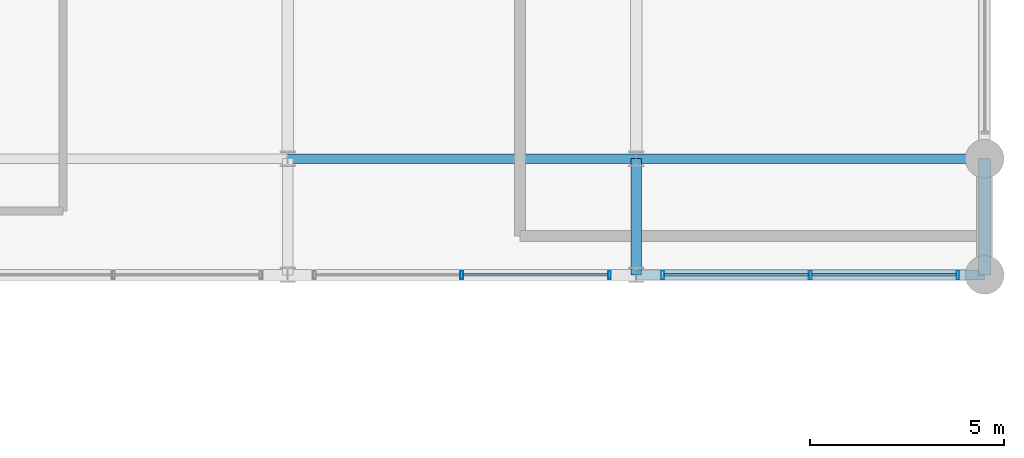
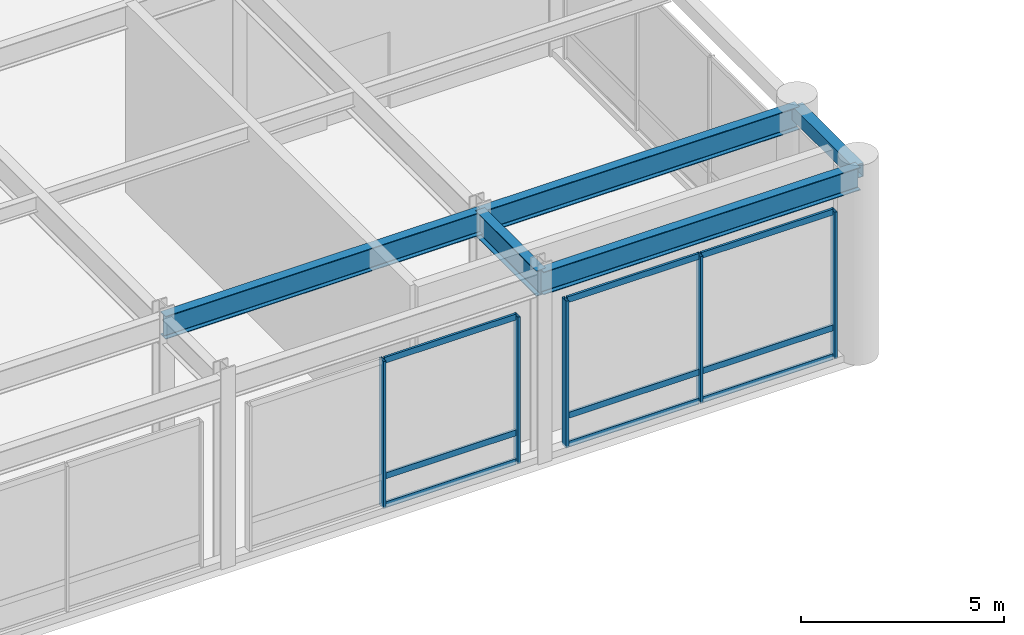
# One storey, part 59 of 105: 14 members, 5 beams, 2 elements without a shape of their own.
"""IFC4 building model written with IfcOpenShell, lengths in metres."""

from ifc_helpers import new_model, si_unit, direction, frame, origin, origin_2d, place, context, subcontext, project, spatial, hollow_rectangle, i_section, extrude, material, material_profile, profile_set, type_object, element, aggregate, save


model = new_model("IFC4")

# Units and contexts
model_context = context("Model", 3, precision=1e-05, world=origin(), true_north=direction((0.0, 1.0)))
body_context = subcontext(model_context, "Body", "Model", "MODEL_VIEW")
ifc_project = project(units=[si_unit("LENGTHUNIT", "METRE"), si_unit("AREAUNIT", "SQUARE_METRE"), si_unit("VOLUMEUNIT", "CUBIC_METRE"), si_unit("PLANEANGLEUNIT", "RADIAN"), si_unit("MASSUNIT", "GRAM", prefix="KILO")], contexts=[model_context])

# Site, building, storey
site_placement = place(None, origin())
site = spatial("IfcSite", under=ifc_project, at=site_placement, CompositionType="ELEMENT")
building_placement = place(site_placement, origin())
building = spatial("IfcBuilding", under=site, at=building_placement, Name="Kaldorvane Square Convention Centre", CompositionType="ELEMENT")
storey_placement = place(building_placement, frame((0.0, 0.0, 6.0)))
storey = spatial("IfcBuildingStorey", under=building, at=storey_placement, Name="L01", CompositionType="ELEMENT", Elevation=6.0)

# Beams
ifc_material_1 = material(Name="Steel ASTM A992 Gr. 50", Category="steel")
ifc_material_profile_1 = material_profile(ifc_material_1, i_section(OverallWidth=0.25439453125, OverallDepth=0.6880950927734375, WebThickness=0.0131072998046875, FlangeThickness=0.0211029052734375, FilletRadius=0.01519775390625, at=origin_2d()), Name="W27X102")
ifc_profile_set_1 = profile_set([ifc_material_profile_1], Name="Steel ASTM A992 Gr. 50")
beam_type_1 = type_object("IfcBeamType", Name="BM-GR-W27X102", PredefinedType="BEAM", material=ifc_profile_set_1)
for number, where, z_axis, x_axis, name in (
    (1, (165.0, 81.0, 5.332000732421875), (1.0, 0.0, 0.0), (0.0, 1.0, 0.0), "Primary Girder (L01)"),
    (2, (156.0, 84.0, 5.332000732421875), (1.0, 0.0, 0.0), (0.0, 1.0, 0.0), "Primary Girder (L01)"),
    (3, (165.0, 84.0, 5.332000732421875), (1.0, 0.0, 0.0), (0.0, 1.0, 0.0), "Primary Girder (L01)"),
):
    element("IfcBeam", number, at=place(storey_placement, frame(where, z_axis=z_axis, x_axis=x_axis)), inside=storey, type_object=beam_type_1, Name=name, PredefinedType="BEAM", context=body_context, shape_type="SweptSolid", body=[
        extrude(i_section(OverallWidth=0.25439453125, OverallDepth=0.6880950927734375, WebThickness=0.0131072998046875, FlangeThickness=0.0211029052734375, FilletRadius=0.01519775390625, at=origin_2d()), origin(), (0.0, 0.0, 1.0), 9.0),
    ])
ifc_material_profile_2 = material_profile(ifc_material_1, i_section(OverallWidth=0.2666015625, OverallDepth=0.762298583984375, WebThickness=0.014404296875, FlangeThickness=0.0216064453125, FilletRadius=0.0164947509765625, at=origin_2d()), Name="W30X116")
ifc_profile_set_2 = profile_set([ifc_material_profile_2], Name="Steel ASTM A992 Gr. 50")
beam_type_2 = type_object("IfcBeamType", Name="BM-GR-W30X116", PredefinedType="BEAM", material=ifc_profile_set_2)
beam_1_placement = place(storey_placement, frame((165.0, 81.0, 5.2949066162109375), z_axis=(0.0, 1.0, 0.0), x_axis=(-1.0, 0.0, 0.0)))
element("IfcBeam", 4, at=beam_1_placement, inside=storey, type_object=beam_type_2, Name="Transverse Girder (L01)", PredefinedType="BEAM", context=body_context, shape_type="SweptSolid", body=[
    extrude(i_section(OverallWidth=0.2666015625, OverallDepth=0.762298583984375, WebThickness=0.014404296875, FlangeThickness=0.0216064453125, FilletRadius=0.0164947509765625, at=origin_2d()), origin(), (0.0, 0.0, 1.0), 3.0),
])
ifc_material_2 = material(Name="Steel ASTM A500 Gr. C", Category="steel")
ifc_material_profile_3 = material_profile(ifc_material_2, hollow_rectangle(XDim=0.3047943115234375, YDim=0.406402587890625, WallThickness=0.0117950439453125, at=origin_2d()), Name="HSS16X12X1/2")
ifc_profile_set_3 = profile_set([ifc_material_profile_3], Name="Steel ASTM A500 Gr. C")
beam_type_3 = type_object("IfcBeamType", Name="BM-SP-HSS16", PredefinedType="SPANDREL", material=ifc_profile_set_3)
beam_2_placement = place(storey_placement, frame((174.0, 81.0, 5.4727935791015625), z_axis=(0.0, 1.0, 0.0), x_axis=(-1.0, 0.0, 0.0)))
element("IfcBeam", 5, at=beam_2_placement, inside=storey, type_object=beam_type_3, Name="End Spandrel (L01)", PredefinedType="SPANDREL", context=body_context, shape_type="SweptSolid", body=[
    extrude(hollow_rectangle(XDim=0.3047943115234375, YDim=0.406402587890625, WallThickness=0.0117950439453125, at=origin_2d()), origin(), (0.0, 0.0, 1.0), 3.0),
])

# Curtain wall, members
ifc_material_3 = material(Name="Anodized Aluminum and Low-E Insulated Glazing", Category="aluminium")
curtain_wall_type = type_object("IfcCurtainWallType", Name="CW-PTS-FC-60", PredefinedType="USERDEFINED", material=ifc_material_3)
curtain_wall_1_placement = place(storey_placement, origin())
curtain_wall_1 = element("IfcCurtainWall", 6, at=curtain_wall_1_placement, inside=storey, type_object=curtain_wall_type, Name="Curtain Wall CW-07 (L01)", ObjectType="POINT SUPPORTED GLAZING", PredefinedType="USERDEFINED")
ifc_material_profile_4 = material_profile(ifc_material_3, hollow_rectangle(XDim=0.0749969482421875, YDim=0.220001220703125, WallThickness=0.003997802734375, at=origin_2d()), Name="CWM-220X75")
ifc_profile_set_4 = profile_set([ifc_material_profile_4], Name="Anodized Aluminum and Low-E Insulated Glazing")
member_type_1 = type_object("IfcMemberType", Name="CW-MUL-220", PredefinedType="MULLION", material=ifc_profile_set_4)
member_1_placement = place(storey_placement, frame((160.5, 81.0, 0.149993896484375), z_axis=(0.0, 0.0, 1.0), x_axis=(1.0, 0.0, 0.0)))
member_1 = element("IfcMember", 7, at=member_1_placement, type_object=member_type_1, Name="CW-07 mullion 2", PredefinedType="MULLION", context=body_context, shape_type="SweptSolid", body=[
    extrude(hollow_rectangle(XDim=0.0749969482421875, YDim=0.220001220703125, WallThickness=0.003997802734375, at=origin_2d()), origin(), (0.0, 0.0, 1.0), 4.410003662109375),
])
member_2_placement = place(storey_placement, frame((164.3125, 81.0, 0.149993896484375), z_axis=(0.0, 0.0, 1.0), x_axis=(1.0, 0.0, 0.0)))
member_2 = element("IfcMember", 8, at=member_2_placement, type_object=member_type_1, Name="CW-07 mullion 3", PredefinedType="MULLION", context=body_context, shape_type="SweptSolid", body=[
    extrude(hollow_rectangle(XDim=0.0749969482421875, YDim=0.220001220703125, WallThickness=0.003997802734375, at=origin_2d()), origin(), (0.0, 0.0, 1.0), 4.410003662109375),
])

curtain_wall_2_placement = place(storey_placement, origin())
curtain_wall_2 = element("IfcCurtainWall", 9, at=curtain_wall_2_placement, inside=storey, type_object=curtain_wall_type, Name="Curtain Wall CW-07 (L01)", ObjectType="POINT SUPPORTED GLAZING", PredefinedType="USERDEFINED")
member_3_placement = place(storey_placement, frame((165.6875, 81.0, 0.149993896484375), z_axis=(0.0, 0.0, 1.0), x_axis=(1.0, 0.0, 0.0)))
member_3 = element("IfcMember", 10, at=member_3_placement, type_object=member_type_1, Name="CW-07 mullion 1", PredefinedType="MULLION", context=body_context, shape_type="SweptSolid", body=[
    extrude(hollow_rectangle(XDim=0.0749969482421875, YDim=0.220001220703125, WallThickness=0.003997802734375, at=origin_2d()), origin(), (0.0, 0.0, 1.0), 4.410003662109375),
])
member_4_placement = place(storey_placement, frame((169.5, 81.0, 0.149993896484375), z_axis=(0.0, 0.0, 1.0), x_axis=(1.0, 0.0, 0.0)))
member_4 = element("IfcMember", 11, at=member_4_placement, type_object=member_type_1, Name="CW-07 mullion 2", PredefinedType="MULLION", context=body_context, shape_type="SweptSolid", body=[
    extrude(hollow_rectangle(XDim=0.0749969482421875, YDim=0.220001220703125, WallThickness=0.003997802734375, at=origin_2d()), origin(), (0.0, 0.0, 1.0), 4.410003662109375),
])
member_5_placement = place(storey_placement, frame((173.3125, 81.0, 0.149993896484375), z_axis=(0.0, 0.0, 1.0), x_axis=(1.0, 0.0, 0.0)))
member_5 = element("IfcMember", 12, at=member_5_placement, type_object=member_type_1, Name="CW-07 mullion 3", PredefinedType="MULLION", context=body_context, shape_type="SweptSolid", body=[
    extrude(hollow_rectangle(XDim=0.0749969482421875, YDim=0.220001220703125, WallThickness=0.003997802734375, at=origin_2d()), origin(), (0.0, 0.0, 1.0), 4.410003662109375),
])

# Member
ifc_material_profile_5 = material_profile(ifc_material_3, hollow_rectangle(XDim=0.06500244140625, YDim=0.17999267578125, WallThickness=0.0034942626953125, at=origin_2d()), Name="CWT-180X65")
ifc_profile_set_5 = profile_set([ifc_material_profile_5], Name="Anodized Aluminum and Low-E Insulated Glazing")
member_type_2 = type_object("IfcMemberType", Name="CW-TRN-180", PredefinedType="USERDEFINED", material=ifc_profile_set_5)
member_6_placement = place(storey_placement, frame((160.53750610351562, 81.0, 0.1824951171875), z_axis=(1.0, 0.0, 0.0), x_axis=(0.0, 1.0, 0.0)))
member_6 = element("IfcMember", 13, at=member_6_placement, type_object=member_type_2, Name="CW-07 transom 2.1", ObjectType="TRANSOM", PredefinedType="USERDEFINED", context=body_context, shape_type="SweptSolid", body=[
    extrude(hollow_rectangle(XDim=0.06500244140625, YDim=0.17999267578125, WallThickness=0.0034942626953125, at=origin_2d()), origin(), (0.0, 0.0, 1.0), 3.73748779296875),
])

member_7_placement = place(storey_placement, frame((160.53750610351562, 81.0, 1.0500030517578125), z_axis=(1.0, 0.0, 0.0), x_axis=(0.0, 1.0, 0.0)))
member_7 = element("IfcMember", 14, at=member_7_placement, type_object=member_type_2, Name="CW-07 transom 2.2", ObjectType="TRANSOM", PredefinedType="USERDEFINED", context=body_context, shape_type="SweptSolid", body=[
    extrude(hollow_rectangle(XDim=0.06500244140625, YDim=0.17999267578125, WallThickness=0.0034942626953125, at=origin_2d()), origin(), (0.0, 0.0, 1.0), 3.73748779296875),
])

member_8_placement = place(storey_placement, frame((160.53750610351562, 81.0, 4.527496337890625), z_axis=(1.0, 0.0, 0.0), x_axis=(0.0, 1.0, 0.0)))
member_8 = element("IfcMember", 15, at=member_8_placement, type_object=member_type_2, Name="CW-07 transom 2.3", ObjectType="TRANSOM", PredefinedType="USERDEFINED", context=body_context, shape_type="SweptSolid", body=[
    extrude(hollow_rectangle(XDim=0.06500244140625, YDim=0.17999267578125, WallThickness=0.0034942626953125, at=origin_2d()), origin(), (0.0, 0.0, 1.0), 3.73748779296875),
])

aggregate(curtain_wall_1, [member_1, member_2, member_6, member_7, member_8])

member_9_placement = place(storey_placement, frame((165.72500610351562, 81.0, 0.1824951171875), z_axis=(1.0, 0.0, 0.0), x_axis=(0.0, 1.0, 0.0)))
member_9 = element("IfcMember", 16, at=member_9_placement, type_object=member_type_2, Name="CW-07 transom 1.1", ObjectType="TRANSOM", PredefinedType="USERDEFINED", context=body_context, shape_type="SweptSolid", body=[
    extrude(hollow_rectangle(XDim=0.06500244140625, YDim=0.17999267578125, WallThickness=0.0034942626953125, at=origin_2d()), origin(), (0.0, 0.0, 1.0), 3.73748779296875),
])

member_10_placement = place(storey_placement, frame((165.72500610351562, 81.0, 1.0500030517578125), z_axis=(1.0, 0.0, 0.0), x_axis=(0.0, 1.0, 0.0)))
member_10 = element("IfcMember", 17, at=member_10_placement, type_object=member_type_2, Name="CW-07 transom 1.2", ObjectType="TRANSOM", PredefinedType="USERDEFINED", context=body_context, shape_type="SweptSolid", body=[
    extrude(hollow_rectangle(XDim=0.06500244140625, YDim=0.17999267578125, WallThickness=0.0034942626953125, at=origin_2d()), origin(), (0.0, 0.0, 1.0), 3.73748779296875),
])

member_11_placement = place(storey_placement, frame((165.72500610351562, 81.0, 4.527496337890625), z_axis=(1.0, 0.0, 0.0), x_axis=(0.0, 1.0, 0.0)))
member_11 = element("IfcMember", 18, at=member_11_placement, type_object=member_type_2, Name="CW-07 transom 1.3", ObjectType="TRANSOM", PredefinedType="USERDEFINED", context=body_context, shape_type="SweptSolid", body=[
    extrude(hollow_rectangle(XDim=0.06500244140625, YDim=0.17999267578125, WallThickness=0.0034942626953125, at=origin_2d()), origin(), (0.0, 0.0, 1.0), 3.73748779296875),
])

member_12_placement = place(storey_placement, frame((169.53750610351562, 81.0, 0.1824951171875), z_axis=(1.0, 0.0, 0.0), x_axis=(0.0, 1.0, 0.0)))
member_12 = element("IfcMember", 19, at=member_12_placement, type_object=member_type_2, Name="CW-07 transom 2.1", ObjectType="TRANSOM", PredefinedType="USERDEFINED", context=body_context, shape_type="SweptSolid", body=[
    extrude(hollow_rectangle(XDim=0.06500244140625, YDim=0.17999267578125, WallThickness=0.0034942626953125, at=origin_2d()), origin(), (0.0, 0.0, 1.0), 3.73748779296875),
])

member_13_placement = place(storey_placement, frame((169.53750610351562, 81.0, 1.0500030517578125), z_axis=(1.0, 0.0, 0.0), x_axis=(0.0, 1.0, 0.0)))
member_13 = element("IfcMember", 20, at=member_13_placement, type_object=member_type_2, Name="CW-07 transom 2.2", ObjectType="TRANSOM", PredefinedType="USERDEFINED", context=body_context, shape_type="SweptSolid", body=[
    extrude(hollow_rectangle(XDim=0.06500244140625, YDim=0.17999267578125, WallThickness=0.0034942626953125, at=origin_2d()), origin(), (0.0, 0.0, 1.0), 3.73748779296875),
])

member_14_placement = place(storey_placement, frame((169.53750610351562, 81.0, 4.527496337890625), z_axis=(1.0, 0.0, 0.0), x_axis=(0.0, 1.0, 0.0)))
member_14 = element("IfcMember", 21, at=member_14_placement, type_object=member_type_2, Name="CW-07 transom 2.3", ObjectType="TRANSOM", PredefinedType="USERDEFINED", context=body_context, shape_type="SweptSolid", body=[
    extrude(hollow_rectangle(XDim=0.06500244140625, YDim=0.17999267578125, WallThickness=0.0034942626953125, at=origin_2d()), origin(), (0.0, 0.0, 1.0), 3.73748779296875),
])

aggregate(curtain_wall_2, [member_3, member_4, member_5, member_9, member_10, member_11, member_12, member_13, member_14])

save(model, "model.ifc")
